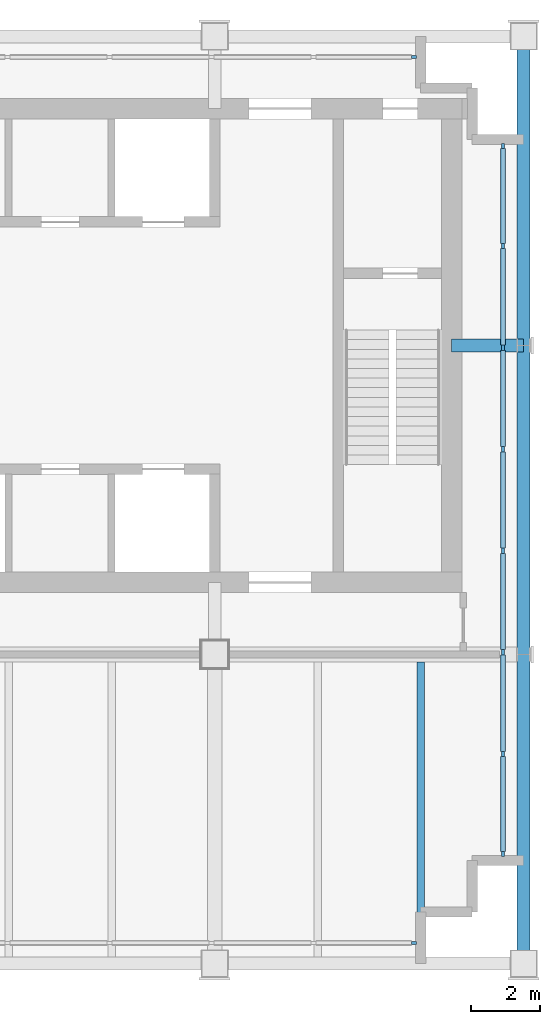
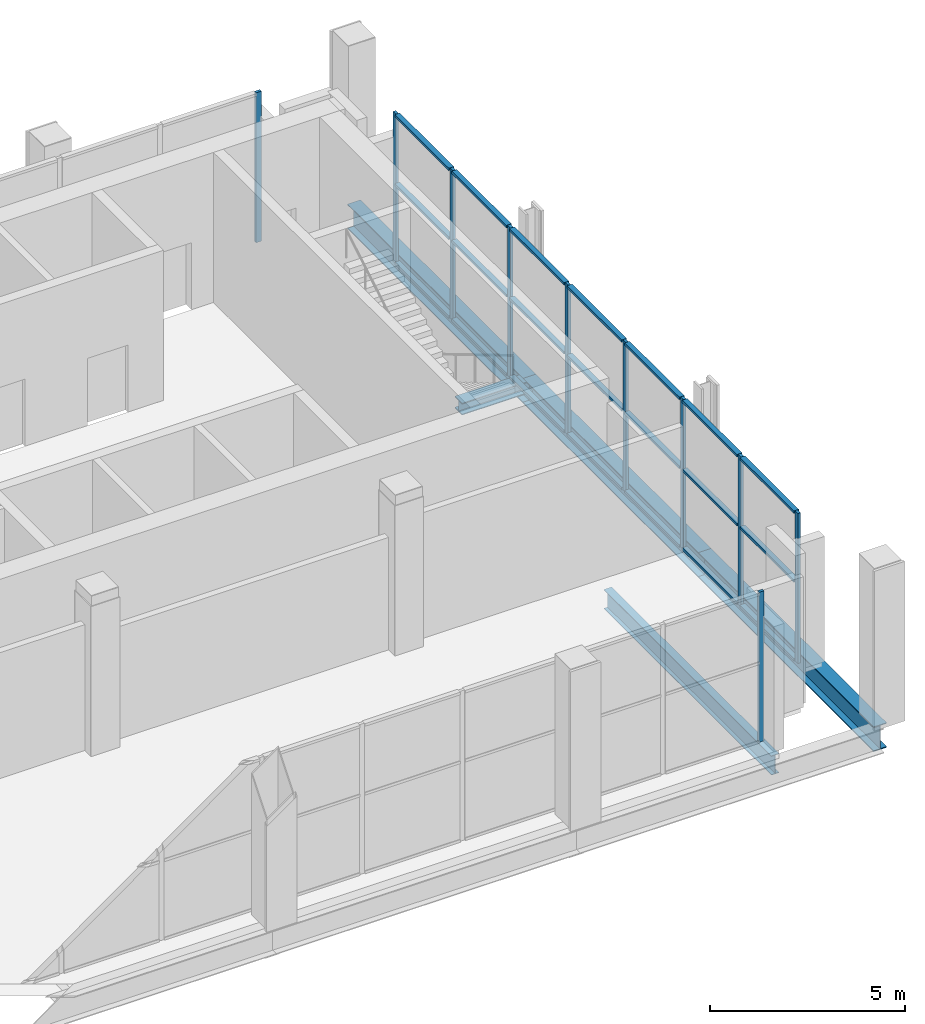
# One storey, part 5 of 10: 32 members, 4 beams, 3 elements without a shape of their own.
"""IFC4 building model written with IfcOpenShell, lengths in metres."""

from ifc_helpers import new_model, si_unit, direction, frame, origin, origin_2d, place, context, subcontext, project, spatial, rectangle, i_section, extrude, material, material_profile, profile_set, type_object, element, aggregate, save


model = new_model("IFC4")

# Units and contexts
model_context = context("Model", 3, precision=1e-05, world=origin(), true_north=direction((0.0, 1.0)))
body_context = subcontext(model_context, "Body", "Model", "MODEL_VIEW")
ifc_project = project(units=[si_unit("LENGTHUNIT", "METRE"), si_unit("AREAUNIT", "SQUARE_METRE"), si_unit("VOLUMEUNIT", "CUBIC_METRE"), si_unit("PLANEANGLEUNIT", "RADIAN"), si_unit("MASSUNIT", "GRAM", prefix="KILO")], contexts=[model_context])

# Site, building, storey
site_placement = place(None, origin())
site = spatial("IfcSite", under=ifc_project, at=site_placement, CompositionType="ELEMENT")
building_placement = place(site_placement, origin())
building = spatial("IfcBuilding", under=site, at=building_placement, Name="Loomwork Tower", CompositionType="ELEMENT")
storey_placement = place(building_placement, frame((0.0, 0.0, 274.800048828125)))
storey = spatial("IfcBuildingStorey", under=building, at=storey_placement, Name="L75", CompositionType="ELEMENT", Elevation=274.800048828125)

# Member
ifc_material_1 = material(Name="Steel ASTM A992", Category="steel")
ifc_material_profile_1 = material_profile(ifc_material_1, i_section(OverallWidth=0.373291015625, OverallDepth=0.373291015625, WebThickness=0.016357421875, FlangeThickness=0.026123046875, at=origin_2d()), Name="W14x132")
ifc_profile_set_1 = profile_set([ifc_material_profile_1], Name="Steel ASTM A992")
member_type_1 = type_object("IfcMemberType", Name="CORE LINK STRUT W14x132", PredefinedType="STRUT", material=ifc_profile_set_1)
member_1_placement = place(storey_placement, frame((36.0, 18.0, -0.436767578125), z_axis=(-1.0, 0.0, 0.0), x_axis=(0.0, -1.0, 0.0)))
element("IfcMember", 1, at=member_1_placement, inside=storey, type_object=member_type_1, Name="Core link strut F/6-33.900,18.000 L75", PredefinedType="STRUT", context=body_context, shape_type="SweptSolid", body=[
    extrude(i_section(OverallWidth=0.373291015625, OverallDepth=0.373291015625, WebThickness=0.016357421875, FlangeThickness=0.026123046875, at=origin_2d()), origin(), (0.0, 0.0, 1.0), 2.10009765625),
])

# Beam
ifc_material_2 = material(Name="Steel ASTM A992", Category="steel")
ifc_material_profile_2 = material_profile(ifc_material_2, i_section(OverallWidth=0.228271484375, OverallDepth=0.607177734375, WebThickness=0.01123046875, FlangeThickness=0.017333984375, at=origin_2d()), Name="W24x76")
ifc_profile_set_2 = profile_set([ifc_material_profile_2], Name="Steel ASTM A992")
beam_type_1 = type_object("IfcBeamType", Name="PLANT FLOOR JOIST W24x76", PredefinedType="JOIST", material=ifc_profile_set_2)
beam_placement = place(storey_placement, frame((33.0, 0.18994140625, -0.553466796875), z_axis=(0.0, 1.0, 0.0), x_axis=(-1.0, 0.0, 0.0)))
element("IfcBeam", 2, at=beam_placement, inside=storey, type_object=beam_type_1, Name="Plant Floor Joist 33.000,0.000-33.000,9.000 L75", PredefinedType="JOIST", context=body_context, shape_type="SweptSolid", body=[
    extrude(i_section(OverallWidth=0.228271484375, OverallDepth=0.607177734375, WebThickness=0.01123046875, FlangeThickness=0.017333984375, at=origin_2d()), origin(), (0.0, 0.0, 1.0), 8.59814453125),
])

# Curtain wall, member
ifc_material_3 = material(Name="Aluminium louvre frame", Category="aluminium")
curtain_wall_type = type_object("IfcCurtainWallType", Name="Plant floor louvre screen", PredefinedType="NOTDEFINED", material=ifc_material_3)
curtain_wall_1_placement = place(storey_placement, origin())
curtain_wall_1 = element("IfcCurtainWall", 3, at=curtain_wall_1_placement, inside=storey, type_object=curtain_wall_type, Name="Plant floor louvre screen cw/S", PredefinedType="NOTDEFINED")
ifc_material_4 = material(Name="Aluminium louvre frame", Category="aluminium")
ifc_material_profile_3 = material_profile(ifc_material_4, rectangle(XDim=0.080078125, YDim=0.14990234375, at=origin_2d()), Name="AL 80x150")
ifc_profile_set_3 = profile_set([ifc_material_profile_3], Name="Aluminium louvre frame")
member_type_2 = type_object("IfcMemberType", Name="Plant floor louvre screen mullion", PredefinedType="MULLION", material=ifc_profile_set_3)
member_2_placement = place(storey_placement, frame((32.81005859375, 0.60009765625, 0.0), z_axis=(0.0, 0.0, 1.0), x_axis=(0.0, 1.0, 0.0)))
member_2 = element("IfcMember", 4, at=member_2_placement, type_object=member_type_2, Name="CW4 mullion 11", PredefinedType="MULLION", context=body_context, shape_type="SweptSolid", body=[
    extrude(rectangle(XDim=0.080078125, YDim=0.14990234375, at=origin_2d()), origin(), (0.0, 0.0, 1.0), 4.699951171875),
])
aggregate(curtain_wall_1, [member_2])

# Curtain wall, members
curtain_wall_2_placement = place(storey_placement, origin())
curtain_wall_2 = element("IfcCurtainWall", 5, at=curtain_wall_2_placement, inside=storey, type_object=curtain_wall_type, Name="Plant floor louvre screen cw/E", PredefinedType="NOTDEFINED")
member_3_placement = place(storey_placement, frame((35.39990234375, 3.18994140625, 0.0), z_axis=(0.0, 0.0, 1.0), x_axis=(-1.0, 0.0, 0.0)))
member_3 = element("IfcMember", 6, at=member_3_placement, type_object=member_type_2, Name="CW4 mullion 1", PredefinedType="MULLION", context=body_context, shape_type="SweptSolid", body=[
    extrude(rectangle(XDim=0.080078125, YDim=0.14990234375, at=origin_2d()), origin(), (0.0, 0.0, 1.0), 4.699951171875),
])
member_4_placement = place(storey_placement, frame((35.39990234375, 6.107177734375, 0.0), z_axis=(0.0, 0.0, 1.0), x_axis=(-1.0, 0.0, 0.0)))
member_4 = element("IfcMember", 7, at=member_4_placement, type_object=member_type_2, Name="CW4 mullion 2", PredefinedType="MULLION", context=body_context, shape_type="SweptSolid", body=[
    extrude(rectangle(XDim=0.080078125, YDim=0.14990234375, at=origin_2d()), origin(), (0.0, 0.0, 1.0), 4.699951171875),
])
member_5_placement = place(storey_placement, frame((35.39990234375, 9.064208984375, 0.0), z_axis=(0.0, 0.0, 1.0), x_axis=(-1.0, 0.0, 0.0)))
member_5 = element("IfcMember", 8, at=member_5_placement, type_object=member_type_2, Name="CW4 mullion 3", PredefinedType="MULLION", context=body_context, shape_type="SweptSolid", body=[
    extrude(rectangle(XDim=0.080078125, YDim=0.14990234375, at=origin_2d()), origin(), (0.0, 0.0, 1.0), 4.699951171875),
])
member_6_placement = place(storey_placement, frame((35.39990234375, 12.021484375, 0.0), z_axis=(0.0, 0.0, 1.0), x_axis=(-1.0, 0.0, 0.0)))
member_6 = element("IfcMember", 9, at=member_6_placement, type_object=member_type_2, Name="CW4 mullion 4", PredefinedType="MULLION", context=body_context, shape_type="SweptSolid", body=[
    extrude(rectangle(XDim=0.080078125, YDim=0.14990234375, at=origin_2d()), origin(), (0.0, 0.0, 1.0), 4.699951171875),
])
member_7_placement = place(storey_placement, frame((35.39990234375, 14.978515625, 0.0), z_axis=(0.0, 0.0, 1.0), x_axis=(-1.0, 0.0, 0.0)))
member_7 = element("IfcMember", 10, at=member_7_placement, type_object=member_type_2, Name="CW4 mullion 5", PredefinedType="MULLION", context=body_context, shape_type="SweptSolid", body=[
    extrude(rectangle(XDim=0.080078125, YDim=0.14990234375, at=origin_2d()), origin(), (0.0, 0.0, 1.0), 4.699951171875),
])
member_8_placement = place(storey_placement, frame((35.39990234375, 17.935791015625, 0.0), z_axis=(0.0, 0.0, 1.0), x_axis=(-1.0, 0.0, 0.0)))
member_8 = element("IfcMember", 11, at=member_8_placement, type_object=member_type_2, Name="CW4 mullion 6", PredefinedType="MULLION", context=body_context, shape_type="SweptSolid", body=[
    extrude(rectangle(XDim=0.080078125, YDim=0.14990234375, at=origin_2d()), origin(), (0.0, 0.0, 1.0), 4.699951171875),
])
member_9_placement = place(storey_placement, frame((35.39990234375, 20.892822265625, 0.0), z_axis=(0.0, 0.0, 1.0), x_axis=(-1.0, 0.0, 0.0)))
member_9 = element("IfcMember", 12, at=member_9_placement, type_object=member_type_2, Name="CW4 mullion 7", PredefinedType="MULLION", context=body_context, shape_type="SweptSolid", body=[
    extrude(rectangle(XDim=0.080078125, YDim=0.14990234375, at=origin_2d()), origin(), (0.0, 0.0, 1.0), 4.699951171875),
])
member_10_placement = place(storey_placement, frame((35.39990234375, 23.81005859375, 0.0), z_axis=(0.0, 0.0, 1.0), x_axis=(-1.0, 0.0, 0.0)))
member_10 = element("IfcMember", 13, at=member_10_placement, type_object=member_type_2, Name="CW4 mullion 8", PredefinedType="MULLION", context=body_context, shape_type="SweptSolid", body=[
    extrude(rectangle(XDim=0.080078125, YDim=0.14990234375, at=origin_2d()), origin(), (0.0, 0.0, 1.0), 4.699951171875),
])

# Curtain wall, member
curtain_wall_3_placement = place(storey_placement, origin())
curtain_wall_3 = element("IfcCurtainWall", 14, at=curtain_wall_3_placement, inside=storey, type_object=curtain_wall_type, Name="Plant floor louvre screen cw/N", PredefinedType="NOTDEFINED")
member_11_placement = place(storey_placement, frame((32.81005859375, 26.39990234375, 0.0), z_axis=(0.0, 0.0, 1.0), x_axis=(0.0, -1.0, 0.0)))
member_11 = element("IfcMember", 15, at=member_11_placement, type_object=member_type_2, Name="CW4 mullion 1", PredefinedType="MULLION", context=body_context, shape_type="SweptSolid", body=[
    extrude(rectangle(XDim=0.080078125, YDim=0.14990234375, at=origin_2d()), origin(), (0.0, 0.0, 1.0), 4.699951171875),
])
aggregate(curtain_wall_3, [member_11])

# Member
ifc_material_5 = material(Name="Aluminium louvre frame", Category="aluminium")
ifc_material_profile_4 = material_profile(ifc_material_5, rectangle(XDim=0.14990234375, YDim=0.080078125, at=origin_2d()), Name="AL 80x150")
ifc_profile_set_4 = profile_set([ifc_material_profile_4], Name="Aluminium louvre frame")
member_type_3 = type_object("IfcMemberType", Name="Plant floor louvre screen transom", PredefinedType="USERDEFINED", material=ifc_profile_set_4)
member_12_placement = place(storey_placement, frame((35.39990234375, 3.264892578125, 0.0400390625), z_axis=(0.0, 1.0, 0.0), x_axis=(-1.0, 0.0, 0.0)))
member_12 = element("IfcMember", 16, at=member_12_placement, type_object=member_type_3, Name="CW4 transom 1.1", ObjectType="TRANSOM", PredefinedType="USERDEFINED", context=body_context, shape_type="SweptSolid", body=[
    extrude(rectangle(XDim=0.14990234375, YDim=0.080078125, at=origin_2d()), origin(), (0.0, 0.0, 1.0), 2.767333984375),
])

member_13_placement = place(storey_placement, frame((35.39990234375, 3.264892578125, 2.5), z_axis=(0.0, 1.0, 0.0), x_axis=(-1.0, 0.0, 0.0)))
member_13 = element("IfcMember", 17, at=member_13_placement, type_object=member_type_3, Name="CW4 transom 1.2", ObjectType="TRANSOM", PredefinedType="USERDEFINED", context=body_context, shape_type="SweptSolid", body=[
    extrude(rectangle(XDim=0.14990234375, YDim=0.080078125, at=origin_2d()), origin(), (0.0, 0.0, 1.0), 2.767333984375),
])

member_14_placement = place(storey_placement, frame((35.39990234375, 3.264892578125, 4.659912109375), z_axis=(0.0, 1.0, 0.0), x_axis=(-1.0, 0.0, 0.0)))
member_14 = element("IfcMember", 18, at=member_14_placement, type_object=member_type_3, Name="CW4 transom 1.3", ObjectType="TRANSOM", PredefinedType="USERDEFINED", context=body_context, shape_type="SweptSolid", body=[
    extrude(rectangle(XDim=0.14990234375, YDim=0.080078125, at=origin_2d()), origin(), (0.0, 0.0, 1.0), 2.767333984375),
])

member_15_placement = place(storey_placement, frame((35.39990234375, 6.18212890625, 0.0400390625), z_axis=(0.0, 1.0, 0.0), x_axis=(-1.0, 0.0, 0.0)))
member_15 = element("IfcMember", 19, at=member_15_placement, type_object=member_type_3, Name="CW4 transom 2.1", ObjectType="TRANSOM", PredefinedType="USERDEFINED", context=body_context, shape_type="SweptSolid", body=[
    extrude(rectangle(XDim=0.14990234375, YDim=0.080078125, at=origin_2d()), origin(), (0.0, 0.0, 1.0), 2.80712890625),
])

member_16_placement = place(storey_placement, frame((35.39990234375, 6.18212890625, 2.5), z_axis=(0.0, 1.0, 0.0), x_axis=(-1.0, 0.0, 0.0)))
member_16 = element("IfcMember", 20, at=member_16_placement, type_object=member_type_3, Name="CW4 transom 2.2", ObjectType="TRANSOM", PredefinedType="USERDEFINED", context=body_context, shape_type="SweptSolid", body=[
    extrude(rectangle(XDim=0.14990234375, YDim=0.080078125, at=origin_2d()), origin(), (0.0, 0.0, 1.0), 2.80712890625),
])

member_17_placement = place(storey_placement, frame((35.39990234375, 6.18212890625, 4.659912109375), z_axis=(0.0, 1.0, 0.0), x_axis=(-1.0, 0.0, 0.0)))
member_17 = element("IfcMember", 21, at=member_17_placement, type_object=member_type_3, Name="CW4 transom 2.3", ObjectType="TRANSOM", PredefinedType="USERDEFINED", context=body_context, shape_type="SweptSolid", body=[
    extrude(rectangle(XDim=0.14990234375, YDim=0.080078125, at=origin_2d()), origin(), (0.0, 0.0, 1.0), 2.80712890625),
])

member_18_placement = place(storey_placement, frame((35.39990234375, 9.139404296875, 0.0400390625), z_axis=(0.0, 1.0, 0.0), x_axis=(-1.0, 0.0, 0.0)))
member_18 = element("IfcMember", 22, at=member_18_placement, type_object=member_type_3, Name="CW4 transom 3.1", ObjectType="TRANSOM", PredefinedType="USERDEFINED", context=body_context, shape_type="SweptSolid", body=[
    extrude(rectangle(XDim=0.14990234375, YDim=0.080078125, at=origin_2d()), origin(), (0.0, 0.0, 1.0), 2.80712890625),
])

member_19_placement = place(storey_placement, frame((35.39990234375, 9.139404296875, 2.5), z_axis=(0.0, 1.0, 0.0), x_axis=(-1.0, 0.0, 0.0)))
member_19 = element("IfcMember", 23, at=member_19_placement, type_object=member_type_3, Name="CW4 transom 3.2", ObjectType="TRANSOM", PredefinedType="USERDEFINED", context=body_context, shape_type="SweptSolid", body=[
    extrude(rectangle(XDim=0.14990234375, YDim=0.080078125, at=origin_2d()), origin(), (0.0, 0.0, 1.0), 2.80712890625),
])

member_20_placement = place(storey_placement, frame((35.39990234375, 9.139404296875, 4.659912109375), z_axis=(0.0, 1.0, 0.0), x_axis=(-1.0, 0.0, 0.0)))
member_20 = element("IfcMember", 24, at=member_20_placement, type_object=member_type_3, Name="CW4 transom 3.3", ObjectType="TRANSOM", PredefinedType="USERDEFINED", context=body_context, shape_type="SweptSolid", body=[
    extrude(rectangle(XDim=0.14990234375, YDim=0.080078125, at=origin_2d()), origin(), (0.0, 0.0, 1.0), 2.80712890625),
])

member_21_placement = place(storey_placement, frame((35.39990234375, 12.096435546875, 0.0400390625), z_axis=(0.0, 1.0, 0.0), x_axis=(-1.0, 0.0, 0.0)))
member_21 = element("IfcMember", 25, at=member_21_placement, type_object=member_type_3, Name="CW4 transom 4.1", ObjectType="TRANSOM", PredefinedType="USERDEFINED", context=body_context, shape_type="SweptSolid", body=[
    extrude(rectangle(XDim=0.14990234375, YDim=0.080078125, at=origin_2d()), origin(), (0.0, 0.0, 1.0), 2.80712890625),
])

member_22_placement = place(storey_placement, frame((35.39990234375, 12.096435546875, 2.5), z_axis=(0.0, 1.0, 0.0), x_axis=(-1.0, 0.0, 0.0)))
member_22 = element("IfcMember", 26, at=member_22_placement, type_object=member_type_3, Name="CW4 transom 4.2", ObjectType="TRANSOM", PredefinedType="USERDEFINED", context=body_context, shape_type="SweptSolid", body=[
    extrude(rectangle(XDim=0.14990234375, YDim=0.080078125, at=origin_2d()), origin(), (0.0, 0.0, 1.0), 2.80712890625),
])

member_23_placement = place(storey_placement, frame((35.39990234375, 12.096435546875, 4.659912109375), z_axis=(0.0, 1.0, 0.0), x_axis=(-1.0, 0.0, 0.0)))
member_23 = element("IfcMember", 27, at=member_23_placement, type_object=member_type_3, Name="CW4 transom 4.3", ObjectType="TRANSOM", PredefinedType="USERDEFINED", context=body_context, shape_type="SweptSolid", body=[
    extrude(rectangle(XDim=0.14990234375, YDim=0.080078125, at=origin_2d()), origin(), (0.0, 0.0, 1.0), 2.80712890625),
])

member_24_placement = place(storey_placement, frame((35.39990234375, 15.053466796875, 0.0400390625), z_axis=(0.0, 1.0, 0.0), x_axis=(-1.0, 0.0, 0.0)))
member_24 = element("IfcMember", 28, at=member_24_placement, type_object=member_type_3, Name="CW4 transom 5.1", ObjectType="TRANSOM", PredefinedType="USERDEFINED", context=body_context, shape_type="SweptSolid", body=[
    extrude(rectangle(XDim=0.14990234375, YDim=0.080078125, at=origin_2d()), origin(), (0.0, 0.0, 1.0), 2.80712890625),
])

member_25_placement = place(storey_placement, frame((35.39990234375, 15.053466796875, 2.5), z_axis=(0.0, 1.0, 0.0), x_axis=(-1.0, 0.0, 0.0)))
member_25 = element("IfcMember", 29, at=member_25_placement, type_object=member_type_3, Name="CW4 transom 5.2", ObjectType="TRANSOM", PredefinedType="USERDEFINED", context=body_context, shape_type="SweptSolid", body=[
    extrude(rectangle(XDim=0.14990234375, YDim=0.080078125, at=origin_2d()), origin(), (0.0, 0.0, 1.0), 2.80712890625),
])

member_26_placement = place(storey_placement, frame((35.39990234375, 15.053466796875, 4.659912109375), z_axis=(0.0, 1.0, 0.0), x_axis=(-1.0, 0.0, 0.0)))
member_26 = element("IfcMember", 30, at=member_26_placement, type_object=member_type_3, Name="CW4 transom 5.3", ObjectType="TRANSOM", PredefinedType="USERDEFINED", context=body_context, shape_type="SweptSolid", body=[
    extrude(rectangle(XDim=0.14990234375, YDim=0.080078125, at=origin_2d()), origin(), (0.0, 0.0, 1.0), 2.80712890625),
])

member_27_placement = place(storey_placement, frame((35.39990234375, 18.0107421875, 0.0400390625), z_axis=(0.0, 1.0, 0.0), x_axis=(-1.0, 0.0, 0.0)))
member_27 = element("IfcMember", 31, at=member_27_placement, type_object=member_type_3, Name="CW4 transom 6.1", ObjectType="TRANSOM", PredefinedType="USERDEFINED", context=body_context, shape_type="SweptSolid", body=[
    extrude(rectangle(XDim=0.14990234375, YDim=0.080078125, at=origin_2d()), origin(), (0.0, 0.0, 1.0), 2.80712890625),
])

member_28_placement = place(storey_placement, frame((35.39990234375, 18.0107421875, 2.5), z_axis=(0.0, 1.0, 0.0), x_axis=(-1.0, 0.0, 0.0)))
member_28 = element("IfcMember", 32, at=member_28_placement, type_object=member_type_3, Name="CW4 transom 6.2", ObjectType="TRANSOM", PredefinedType="USERDEFINED", context=body_context, shape_type="SweptSolid", body=[
    extrude(rectangle(XDim=0.14990234375, YDim=0.080078125, at=origin_2d()), origin(), (0.0, 0.0, 1.0), 2.80712890625),
])

member_29_placement = place(storey_placement, frame((35.39990234375, 18.0107421875, 4.659912109375), z_axis=(0.0, 1.0, 0.0), x_axis=(-1.0, 0.0, 0.0)))
member_29 = element("IfcMember", 33, at=member_29_placement, type_object=member_type_3, Name="CW4 transom 6.3", ObjectType="TRANSOM", PredefinedType="USERDEFINED", context=body_context, shape_type="SweptSolid", body=[
    extrude(rectangle(XDim=0.14990234375, YDim=0.080078125, at=origin_2d()), origin(), (0.0, 0.0, 1.0), 2.80712890625),
])

member_30_placement = place(storey_placement, frame((35.39990234375, 20.9677734375, 0.0400390625), z_axis=(0.0, 1.0, 0.0), x_axis=(-1.0, 0.0, 0.0)))
member_30 = element("IfcMember", 34, at=member_30_placement, type_object=member_type_3, Name="CW4 transom 7.1", ObjectType="TRANSOM", PredefinedType="USERDEFINED", context=body_context, shape_type="SweptSolid", body=[
    extrude(rectangle(XDim=0.14990234375, YDim=0.080078125, at=origin_2d()), origin(), (0.0, 0.0, 1.0), 2.767333984375),
])

member_31_placement = place(storey_placement, frame((35.39990234375, 20.9677734375, 2.5), z_axis=(0.0, 1.0, 0.0), x_axis=(-1.0, 0.0, 0.0)))
member_31 = element("IfcMember", 35, at=member_31_placement, type_object=member_type_3, Name="CW4 transom 7.2", ObjectType="TRANSOM", PredefinedType="USERDEFINED", context=body_context, shape_type="SweptSolid", body=[
    extrude(rectangle(XDim=0.14990234375, YDim=0.080078125, at=origin_2d()), origin(), (0.0, 0.0, 1.0), 2.767333984375),
])

member_32_placement = place(storey_placement, frame((35.39990234375, 20.9677734375, 4.659912109375), z_axis=(0.0, 1.0, 0.0), x_axis=(-1.0, 0.0, 0.0)))
member_32 = element("IfcMember", 36, at=member_32_placement, type_object=member_type_3, Name="CW4 transom 7.3", ObjectType="TRANSOM", PredefinedType="USERDEFINED", context=body_context, shape_type="SweptSolid", body=[
    extrude(rectangle(XDim=0.14990234375, YDim=0.080078125, at=origin_2d()), origin(), (0.0, 0.0, 1.0), 2.767333984375),
])

aggregate(curtain_wall_2, [member_3, member_4, member_5, member_6, member_7, member_8, member_9, member_10, member_12, member_13, member_14, member_15, member_16, member_17, member_18, member_19, member_20, member_21, member_22, member_23, member_24, member_25, member_26, member_27, member_28, member_29, member_30, member_31, member_32])

# Beams
ifc_material_6 = material(Name="Steel ASTM A992", Category="steel")
ifc_material_profile_5 = material_profile(ifc_material_6, i_section(OverallWidth=0.381103515625, OverallDepth=0.77978515625, WebThickness=0.01806640625, FlangeThickness=0.0302734375, at=origin_2d()), Name="W30x191")
ifc_profile_set_5 = profile_set([ifc_material_profile_5], Name="Steel ASTM A992")
beam_type_2 = type_object("IfcBeamType", Name="SPANDREL GIRDER W30x191", PredefinedType="SPANDREL", material=ifc_profile_set_5)
for number, where, z_axis, x_axis, name in (
    (37, (36.0, 0.0, -0.639892578125), (0.0, 1.0, 0.0), (-1.0, 0.0, 0.0), "Spandrel Girder D/6-E/6 L75"),
    (38, (36.0, 9.0, -0.639892578125), (0.0, 1.0, 0.0), (-1.0, 0.0, 0.0), "Spandrel Girder E/6-F/6 L75"),
    (39, (36.0, 18.0, -0.639892578125), (0.0, 1.0, 0.0), (-1.0, 0.0, 0.0), "Spandrel Girder F/6-G/6 L75"),
):
    element("IfcBeam", number, at=place(storey_placement, frame(where, z_axis=z_axis, x_axis=x_axis)), inside=storey, type_object=beam_type_2, Name=name, PredefinedType="SPANDREL", context=body_context, shape_type="SweptSolid", body=[
        extrude(i_section(OverallWidth=0.381103515625, OverallDepth=0.77978515625, WebThickness=0.01806640625, FlangeThickness=0.0302734375, at=origin_2d()), origin(), (0.0, 0.0, 1.0), 9.0),
    ])

save(model, "model.ifc")
